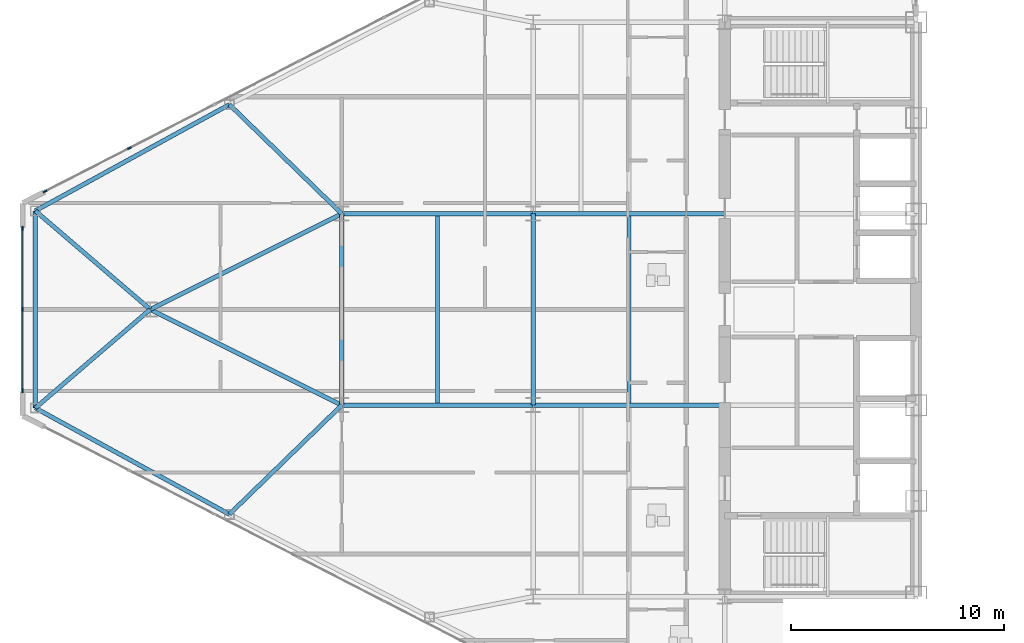
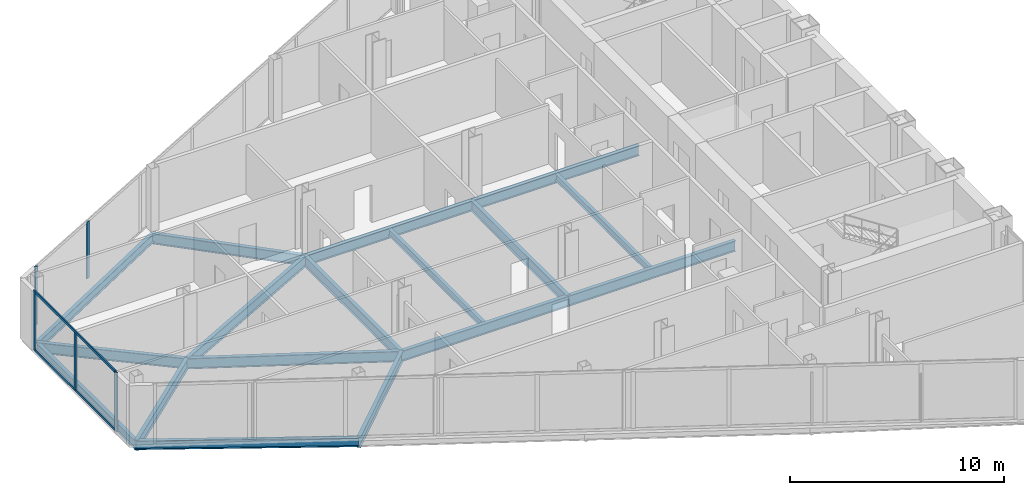
# One storey, part 4 of 24: 17 beams, 7 members, 2 elements without a shape of their own.
"""IFC4 building model written with IfcOpenShell, lengths in metres."""

from ifc_helpers import new_model, si_unit, direction, frame, origin, origin_2d, place, context, subcontext, project, spatial, rectangle, i_section, extrude, source, transform, mapped, material, layer, layer_set, material_profile, profile_set, type_object, type_shapes, element, aggregate, save


model = new_model("IFC4")

# Units and contexts
model_context = context("Model", 3, precision=1e-05, world=origin(), true_north=direction((0.0, 1.0)))
body_context = subcontext(model_context, "Body", "Model", "MODEL_VIEW")
ifc_project = project(units=[si_unit("LENGTHUNIT", "METRE"), si_unit("AREAUNIT", "SQUARE_METRE"), si_unit("VOLUMEUNIT", "CUBIC_METRE"), si_unit("PLANEANGLEUNIT", "RADIAN"), si_unit("MASSUNIT", "GRAM", prefix="KILO")], contexts=[model_context])

# Site, building, storey
site_placement = place(None, origin())
site = spatial("IfcSite", under=ifc_project, at=site_placement, CompositionType="ELEMENT")
building_placement = place(site_placement, origin())
building = spatial("IfcBuilding", under=site, at=building_placement, Name="Seokmaru Belvedere", CompositionType="ELEMENT")
storey_placement = place(building_placement, frame((0.0, 0.0, 140.39990234375)))
storey = spatial("IfcBuildingStorey", under=building, at=storey_placement, Name="L37", CompositionType="ELEMENT", Elevation=140.39990234375)

# Beams
ifc_material_1 = material(Name="Steel SM355 (355 MPa)", Category="steel")
ifc_material_profile_1 = material_profile(ifc_material_1, i_section(OverallWidth=0.199951171875, OverallDepth=0.60009765625, WebThickness=0.010986328125, FlangeThickness=0.01708984375, at=origin_2d()), Name="H-600x200x11x17")
ifc_profile_set_1 = profile_set([ifc_material_profile_1], Name="Steel SM355 (355 MPa)")
beam_type_1 = type_object("IfcBeamType", Name="Primary Floor Girder H-600", PredefinedType="BEAM", material=ifc_profile_set_1)
shared_shape_1 = source(origin(), body_context, "Body", "SweptSolid", [
    extrude(i_section(OverallWidth=0.199951171875, OverallDepth=0.60009765625, WebThickness=0.010986328125, FlangeThickness=0.01708984375, at=origin_2d()), origin(), (0.0, 0.0, 1.0), 9.0),
])
for number, where, z_axis, x_axis, name in (
    (1, (-45.5, -4.5, -0.52001953125), (0.0, 1.0, 0.0), (-1.0, 0.0, 0.0), "L37 W Interior Grid Girder 2"),
    (2, (-45.5, -4.5, -0.52001953125), (1.0, 0.0, 0.0), (0.0, 1.0, 0.0), "L37 W Wing Primary Girder 2"),
    (3, (-45.5, 4.5, -0.52001953125), (1.0, 0.0, 0.0), (0.0, 1.0, 0.0), "L37 W Wing Primary Girder 3"),
    (4, (-54.5, -4.5, -0.52001953125), (1.0, 0.0, 0.0), (0.0, 1.0, 0.0), "L37 W Outer Wing Girder 1"),
    (5, (-54.5, 4.5, -0.52001953125), (1.0, 0.0, 0.0), (0.0, 1.0, 0.0), "L37 W Outer Wing Girder 2"),
    (6, (-54.5, -4.5, -0.52001953125), (0.0, 1.0, 0.0), (-1.0, 0.0, 0.0), "L37 W Apex Frame Girder"),
):
    element("IfcBeam", number, at=place(storey_placement, frame(where, z_axis=z_axis, x_axis=x_axis)), inside=storey, type_object=beam_type_1, Name=name, PredefinedType="BEAM", context=body_context, shape_type="MappedRepresentation", body=[
        mapped(shared_shape_1, transform((0.0, 0.0, 0.0), scale=1.0)),
    ])
shared_shape_2 = source(origin(), body_context, "Body", "SweptSolid", [
    extrude(i_section(OverallWidth=0.199951171875, OverallDepth=0.60009765625, WebThickness=0.010986328125, FlangeThickness=0.01708984375, at=origin_2d()), origin(), (0.0, 0.0, 1.0), 10.062255859375),
])
for number, where, z_axis, x_axis, name in (
    (7, (-54.5, -4.5, -0.52001953125), (-0.894427191, 0.4472135955, 0.0), (-0.4472135955, -0.894427191, 0.0), "L37 W Apex Converging Girder 1"),
    (8, (-54.5, 4.5, -0.52001953125), (-0.894427191, -0.4472135955, 0.0), (0.4472135955, -0.894427191, 0.0), "L37 W Apex Converging Girder 2"),
):
    element("IfcBeam", number, at=place(storey_placement, frame(where, z_axis=z_axis, x_axis=x_axis)), inside=storey, type_object=beam_type_1, Name=name, PredefinedType="BEAM", context=body_context, shape_type="MappedRepresentation", body=[
        mapped(shared_shape_2, transform((0.0, 0.0, 0.0), scale=1.0)),
    ])
ifc_material_profile_2 = material_profile(ifc_material_1, i_section(OverallWidth=0.18505859375, OverallDepth=0.389892578125, WebThickness=0.008056640625, FlangeThickness=0.011962890625, at=origin_2d()), Name="H-390x185x8x12")
ifc_profile_set_2 = profile_set([ifc_material_profile_2], Name="Steel SM355 (355 MPa)")
beam_type_2 = type_object("IfcBeamType", Name="Secondary Floor Joist H-350", PredefinedType="JOIST", material=ifc_profile_set_2)
shared_shape_3 = source(origin(), body_context, "Body", "SweptSolid", [
    extrude(i_section(OverallWidth=0.18505859375, OverallDepth=0.389892578125, WebThickness=0.008056640625, FlangeThickness=0.011962890625, at=origin_2d()), origin(), (0.0, 0.0, 1.0), 8.7900390625),
])
type_shapes(beam_type_2, [shared_shape_3])
for number, where, z_axis, x_axis, name in (
    (9, (-41.0, -4.39501953125, -0.414794921875), (0.0, 1.0, 0.0), (-1.0, 0.0, 0.0), "L37 W Secondary Floor Joist 2"),
    (10, (-50.0, -4.39501953125, -0.414794921875), (0.0, 1.0, 0.0), (-1.0, 0.0, 0.0), "L37 W Outer Bay Secondary Joist"),
):
    element("IfcBeam", number, at=place(storey_placement, frame(where, z_axis=z_axis, x_axis=x_axis)), inside=storey, type_object=beam_type_2, Name=name, PredefinedType="JOIST", context=body_context, shape_type="MappedRepresentation", body=[
        mapped(shared_shape_3, transform((0.0, 0.0, 0.0), scale=1.0)),
    ])
ifc_material_profile_3 = material_profile(ifc_material_1, i_section(OverallWidth=0.199951171875, OverallDepth=0.5, WebThickness=0.010009765625, FlangeThickness=0.01611328125, at=origin_2d()), Name="H-500x200x10x16")
ifc_profile_set_3 = profile_set([ifc_material_profile_3], Name="Steel SM355 (355 MPa)")
beam_type_3 = type_object("IfcBeamType", Name="Perimeter Spandrel Beam H-500", PredefinedType="SPANDREL", material=ifc_profile_set_3)
shared_shape_4 = source(origin(), body_context, "Body", "SweptSolid", [
    extrude(i_section(OverallWidth=0.199951171875, OverallDepth=0.5, WebThickness=0.010009765625, FlangeThickness=0.01611328125, at=origin_2d()), origin(), (0.0, 0.0, 1.0), 10.399658203125),
])
for number, where, z_axis, x_axis, name in (
    (11, (-59.778564453125, -9.62890625, -0.469970703125), (-0.877082374422, 0.480339992587, 0.0), (-0.480339992587, -0.877082374422, 0.0), "L37 W Faceted Flank Spandrel S-4"),
    (12, (-59.778564453125, 9.62890625, -0.469970703125), (-0.877082374422, -0.480339992587, 0.0), (0.480339992587, -0.877082374422, 0.0), "L37 W Faceted Flank Spandrel N-4"),
):
    element("IfcBeam", number, at=place(storey_placement, frame(where, z_axis=z_axis, x_axis=x_axis)), inside=storey, type_object=beam_type_3, Name=name, PredefinedType="SPANDREL", context=body_context, shape_type="MappedRepresentation", body=[
        mapped(shared_shape_4, transform((0.0, 0.0, 0.0), scale=1.0)),
    ])
shared_shape_5 = source(origin(), body_context, "Body", "SweptSolid", [
    extrude(i_section(OverallWidth=0.199951171875, OverallDepth=0.5, WebThickness=0.010009765625, FlangeThickness=0.01611328125, at=origin_2d()), origin(), (0.0, 0.0, 1.0), 9.26708984375),
])
type_shapes(beam_type_3, [shared_shape_4, shared_shape_5])
beam_placement = place(storey_placement, frame((-68.89990234375, -4.633544921875, -0.469970703125), z_axis=(0.0, 1.0, 0.0), x_axis=(-1.0, 0.0, 0.0)))
element("IfcBeam", 13, at=beam_placement, inside=storey, type_object=beam_type_3, Name="L37 W Faceted Apex Spandrel", PredefinedType="SPANDREL", context=body_context, shape_type="MappedRepresentation", body=[
    mapped(shared_shape_5, transform((0.0, 0.0, 0.0), scale=1.0)),
])
shared_shape_6 = source(origin(), body_context, "Body", "SweptSolid", [
    extrude(i_section(OverallWidth=0.199951171875, OverallDepth=0.60009765625, WebThickness=0.010986328125, FlangeThickness=0.01708984375, at=origin_2d()), origin(), (0.0, 0.0, 1.0), 7.35986328125),
])
for number, where, z_axis, x_axis, name in (
    (14, (-59.778564453125, -9.62890625, -0.52001953125), (0.717200745515, 0.696866623273, 0.0), (-0.696866623273, 0.717200745515, 0.0), "L37 W Flank Radial Floor Girder S-3"),
    (15, (-59.778564453125, 9.62890625, -0.52001953125), (0.717200745515, -0.696866623273, 0.0), (0.696866623273, 0.717200745515, 0.0), "L37 W Flank Radial Floor Girder N-3"),
):
    element("IfcBeam", number, at=place(storey_placement, frame(where, z_axis=z_axis, x_axis=x_axis)), inside=storey, type_object=beam_type_1, Name=name, PredefinedType="BEAM", context=body_context, shape_type="MappedRepresentation", body=[
        mapped(shared_shape_6, transform((0.0, 0.0, 0.0), scale=1.0)),
    ])
shared_shape_7 = source(origin(), body_context, "Body", "SweptSolid", [
    extrude(i_section(OverallWidth=0.199951171875, OverallDepth=0.60009765625, WebThickness=0.010986328125, FlangeThickness=0.01708984375, at=origin_2d()), origin(), (0.0, 0.0, 1.0), 7.115478515625),
])
type_shapes(beam_type_1, [shared_shape_1, shared_shape_2, shared_shape_6, shared_shape_7])
for number, where, z_axis, x_axis, name in (
    (16, (-68.89990234375, -4.633544921875, -0.52001953125), (0.758905301881, 0.651201000289, 0.0), (-0.651201000289, 0.758905301881, 0.0), "L37 W Apex Radial Floor Girder 1"),
    (17, (-68.89990234375, 4.633544921875, -0.52001953125), (0.758905301881, -0.651201000289, 0.0), (0.651201000289, 0.758905301881, 0.0), "L37 W Apex Radial Floor Girder 2"),
):
    element("IfcBeam", number, at=place(storey_placement, frame(where, z_axis=z_axis, x_axis=x_axis)), inside=storey, type_object=beam_type_1, Name=name, PredefinedType="BEAM", context=body_context, shape_type="MappedRepresentation", body=[
        mapped(shared_shape_7, transform((0.0, 0.0, 0.0), scale=1.0)),
    ])

# Curtain wall, member
ifc_material_2 = material(Name="Bronze Triple Insulating Glass", Category="glass")
ifc_layer = layer(ifc_material_2, 0.195068359375)
ifc_layer_set = layer_set([ifc_layer], Name="Bronze Triple Insulating Glass")
curtain_wall_type = type_object("IfcCurtainWallType", Name="Sky-Lobby and Mid-Rise Curtain Wall System CW-4", PredefinedType="NOTDEFINED", material=ifc_layer_set)
curtain_wall_1_placement = place(storey_placement, origin())
curtain_wall_1 = element("IfcCurtainWall", 18, at=curtain_wall_1_placement, inside=storey, type_object=curtain_wall_type, Name="L37 Curtain Wall WF3", PredefinedType="NOTDEFINED")
ifc_material_3 = material(Name="Anodised Bronze Aluminium", Category="aluminium")
ifc_material_profile_4 = material_profile(ifc_material_3, rectangle(XDim=0.070068359375, YDim=0.195068359375, at=origin_2d()), Name="CW-M-70x195")
ifc_profile_set_4 = profile_set([ifc_material_profile_4], Name="Anodised Bronze Aluminium")
member_type_1 = type_object("IfcMemberType", Name="Bronze Unitised Mullion 70x195", PredefinedType="MULLION", material=ifc_profile_set_4)
shared_shape_8 = source(origin(), body_context, "Body", "SweptSolid", [
    extrude(rectangle(XDim=0.070068359375, YDim=0.195068359375, at=origin_2d()), origin(), (0.0, 0.0, 1.0), 3.380126953125),
])
member_1_placement = place(storey_placement, frame((-68.44580078125, 5.541015625, 0.0), z_axis=(0.0, 0.0, 1.0), x_axis=(0.456554528263, -0.889695432562, 0.0)))
member_1 = element("IfcMember", 19, at=member_1_placement, type_object=member_type_1, Name="CW:L37:WF3 Mullion 10", PredefinedType="MULLION", context=body_context, shape_type="MappedRepresentation", body=[
    mapped(shared_shape_8, transform((0.0, 0.0, 0.0), scale=1.0)),
])

# Curtain wall, members
curtain_wall_2_placement = place(storey_placement, origin())
curtain_wall_2 = element("IfcCurtainWall", 20, at=curtain_wall_2_placement, inside=storey, type_object=curtain_wall_type, Name="L37 Curtain Wall WF4", PredefinedType="NOTDEFINED")
member_2_placement = place(storey_placement, frame((-69.5, 3.81494140625, 0.0), z_axis=(0.0, 0.0, 1.0), x_axis=(1.0, 0.0, 0.0)))
member_2 = element("IfcMember", 21, at=member_2_placement, type_object=member_type_1, Name="CW:L37:WF4 Mullion 1", PredefinedType="MULLION", context=body_context, shape_type="MappedRepresentation", body=[
    mapped(shared_shape_8, transform((0.0, 0.0, 0.0), scale=1.0)),
])
member_3_placement = place(storey_placement, frame((-69.5, -3.81494140625, 0.0), z_axis=(0.0, 0.0, 1.0), x_axis=(1.0, 0.0, 0.0)))
member_3 = element("IfcMember", 22, at=member_3_placement, type_object=member_type_1, Name="CW:L37:WF4 Mullion 3", PredefinedType="MULLION", context=body_context, shape_type="MappedRepresentation", body=[
    mapped(shared_shape_8, transform((0.0, 0.0, 0.0), scale=1.0)),
])

# Member
shared_shape_9 = source(origin(), body_context, "Body", "SweptSolid", [
    extrude(rectangle(XDim=0.070068359375, YDim=0.195068359375, at=origin_2d()), origin(), (0.0, 0.0, 1.0), 3.25),
])
type_shapes(member_type_1, [shared_shape_8, shared_shape_9])
member_4_placement = place(storey_placement, frame((-64.48193359375, 7.574951171875, 0.065185546875), z_axis=(0.0, 0.0, 1.0), x_axis=(0.456554528263, -0.889695432562, 0.0)))
member_4 = element("IfcMember", 23, at=member_4_placement, type_object=member_type_1, Name="CW:L37:WF3 Mullion 9", PredefinedType="MULLION", context=body_context, shape_type="MappedRepresentation", body=[
    mapped(shared_shape_9, transform((0.0, 0.0, 0.0), scale=1.0)),
])

aggregate(curtain_wall_1, [member_4, member_1])

member_5_placement = place(storey_placement, frame((-69.5, 0.0, 0.065185546875), z_axis=(0.0, 0.0, 1.0), x_axis=(1.0, 0.0, 0.0)))
member_5 = element("IfcMember", 24, at=member_5_placement, type_object=member_type_1, Name="CW:L37:WF4 Mullion 2", PredefinedType="MULLION", context=body_context, shape_type="MappedRepresentation", body=[
    mapped(shared_shape_9, transform((0.0, 0.0, 0.0), scale=1.0)),
])

ifc_material_profile_5 = material_profile(ifc_material_3, rectangle(XDim=0.06494140625, YDim=0.14990234375, at=origin_2d()), Name="CW-T-65x150")
ifc_profile_set_5 = profile_set([ifc_material_profile_5], Name="Anodised Bronze Aluminium")
member_type_2 = type_object("IfcMemberType", Name="Bronze Unitised Transom 65x150", PredefinedType="USERDEFINED", material=ifc_profile_set_5)
shared_shape_10 = source(origin(), body_context, "Body", "SweptSolid", [
    extrude(rectangle(XDim=0.06494140625, YDim=0.14990234375, at=origin_2d()), origin(), (0.0, 0.0, 1.0), 7.56005859375),
])
type_shapes(member_type_2, [shared_shape_10])
member_6_placement = place(storey_placement, frame((-69.5, 3.780029296875, 0.03271484375), z_axis=(0.0, -1.0, 0.0), x_axis=(1.0, 0.0, 0.0)))
member_6 = element("IfcMember", 25, at=member_6_placement, type_object=member_type_2, Name="CW:L37:WF4 Continuous Transom 1", ObjectType="TRANSOM", PredefinedType="USERDEFINED", context=body_context, shape_type="MappedRepresentation", body=[
    mapped(shared_shape_10, transform((0.0, 0.0, 0.0), scale=1.0)),
])

member_7_placement = place(storey_placement, frame((-69.5, 3.780029296875, 3.34765625), z_axis=(0.0, -1.0, 0.0), x_axis=(1.0, 0.0, 0.0)))
member_7 = element("IfcMember", 26, at=member_7_placement, type_object=member_type_2, Name="CW:L37:WF4 Continuous Transom 2", ObjectType="TRANSOM", PredefinedType="USERDEFINED", context=body_context, shape_type="MappedRepresentation", body=[
    mapped(shared_shape_10, transform((0.0, 0.0, 0.0), scale=1.0)),
])

aggregate(curtain_wall_2, [member_2, member_5, member_3, member_6, member_7])

save(model, "model.ifc")
